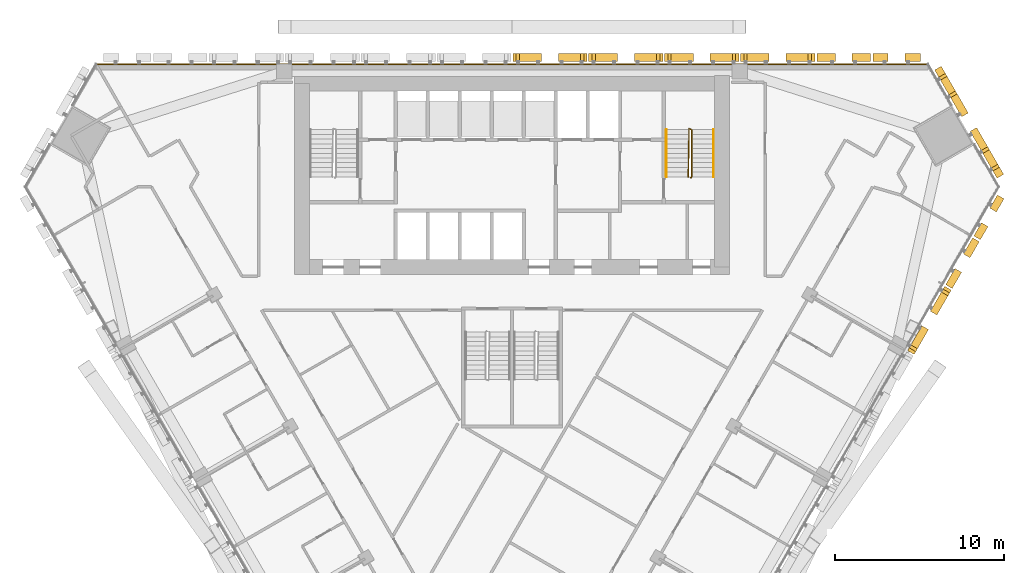
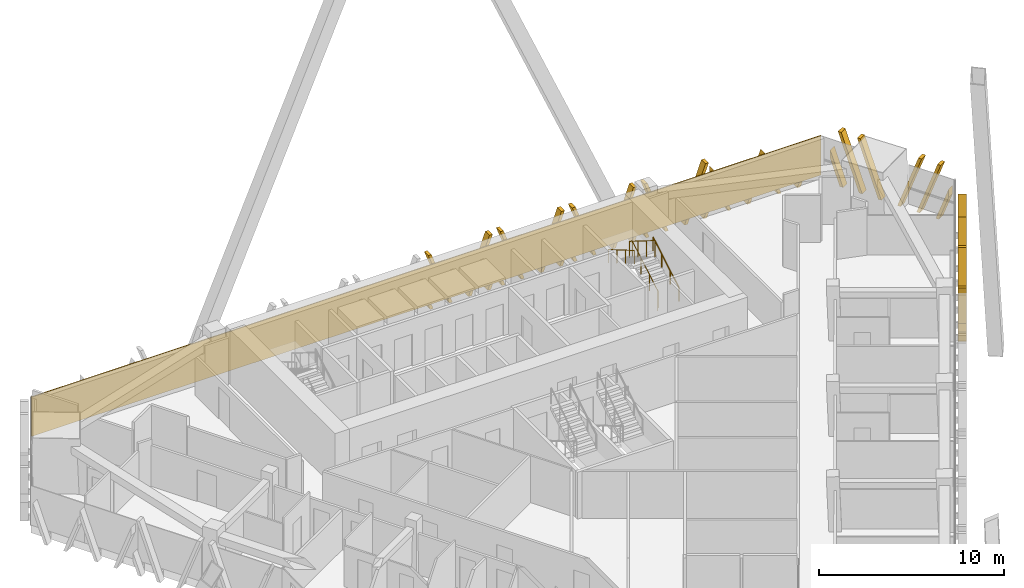
# One storey, part 22 of 23: 10 shading devices, 3 railings, 1 covering.
"""IFC4 building model written with IfcOpenShell, lengths in metres."""

from ifc_helpers import new_model, si_unit, direction, frame, frame_2d, origin, origin_2d, place, context, subcontext, project, spatial, polyline, rectangle, circle, outline, extrude, source, transform, mapped, material, layer, layer_set, type_object, element, save


model = new_model("IFC4")

# Units and contexts
model_context = context("Model", 3, precision=1e-05, world=origin(), true_north=direction((0.0, 1.0)))
body_context = subcontext(model_context, "Body", "Model", "MODEL_VIEW")
ifc_project = project(units=[si_unit("LENGTHUNIT", "METRE"), si_unit("AREAUNIT", "SQUARE_METRE"), si_unit("VOLUMEUNIT", "CUBIC_METRE"), si_unit("PLANEANGLEUNIT", "RADIAN"), si_unit("MASSUNIT", "GRAM", prefix="KILO")], contexts=[model_context])

# Site, building, storey
site_placement = place(None, origin())
site = spatial("IfcSite", under=ifc_project, at=site_placement, CompositionType="ELEMENT")
building_placement = place(site_placement, origin())
building = spatial("IfcBuilding", under=site, at=building_placement, Name="Altiplano Prism Tower", CompositionType="ELEMENT")
storey_placement = place(building_placement, frame((0.0, 0.0, 100.800048828125)))
storey = spatial("IfcBuildingStorey", under=building, at=storey_placement, Name="L25", CompositionType="ELEMENT", Elevation=100.800048828125)

# Railings
ifc_material_1 = material(Name="Steel S355", Category="steel")
railing_type_1 = type_object("IfcRailingType", Name="Stair guard 1100", PredefinedType="GUARDRAIL", material=ifc_material_1)
railing_1_placement = place(storey_placement, frame((95.60009765625, 98.25, 0.0)))
element("IfcRailing", 1, at=railing_1_placement, inside=storey, type_object=railing_type_1, Name="L25 ST2 stair guard 1", PredefinedType="GUARDRAIL", context=body_context, shape_type="SweptSolid", body=[
    extrude(circle(Radius=0.02392578125, at=origin_2d()), frame((0.0, 0.0, 1.076171875), z_axis=(0.279546231943, 0.280916556609, 0.91811752648), x_axis=(-0.708833529934, 0.705375805398, 0.0)), (0.0, 0.0, 1.0), 0.17822265625),
    extrude(circle(Radius=0.02392578125, at=origin_2d()), frame((0.0498046875, 0.050048828125, 1.23974609375), z_axis=(0.0, 0.863360870873, 0.504586966384), x_axis=(-1.0, 0.0, 0.0)), (0.0, 0.0, 1.0), 3.2431640625),
    extrude(circle(Radius=0.02392578125, at=origin_2d()), frame((0.0498046875, 2.85009765625, 2.8759765625), z_axis=(-0.948991962702, 0.315300261223, 0.0), x_axis=(-0.315300261223, -0.948991962702, 0.0)), (0.0, 0.0, 1.0), 0.157958984375),
    extrude(circle(Radius=0.02392578125, at=origin_2d()), frame((-0.10009765625, 2.89990234375, 2.8759765625), z_axis=(-0.014846992469, -0.845409478506, 0.533912334065), x_axis=(0.999845825584, -0.017559187376, 0.0)), (0.0, 0.0, 1.0), 3.37109375),
    extrude(circle(Radius=0.02099609375, at=origin_2d()), origin(), (0.0, 0.0, 1.0), 1.052001953125),
    extrude(circle(Radius=0.02099609375, at=origin_2d()), frame((0.0498046875, 0.050048828125, 0.16357421875)), (0.0, 0.0, 1.0), 1.052001953125),
    extrude(circle(Radius=0.02099609375, at=origin_2d()), frame((0.0498046875, 0.9833984375, 0.708984375)), (0.0, 0.0, 1.0), 1.052001953125),
    extrude(circle(Radius=0.02099609375, at=origin_2d()), frame((0.0498046875, 1.916748046875, 1.254638671875)), (0.0, 0.0, 1.0), 1.052001953125),
    extrude(circle(Radius=0.02099609375, at=origin_2d()), frame((0.0498046875, 2.85009765625, 1.800048828125)), (0.0, 0.0, 1.0), 1.052001953125),
    extrude(circle(Radius=0.02099609375, at=origin_2d()), frame((-0.10009765625, 2.89990234375, 1.800048828125)), (0.0, 0.0, 1.0), 1.052001953125),
    extrude(circle(Radius=0.02099609375, at=origin_2d()), frame((-0.11669921875, 1.949951171875, 2.39990234375)), (0.0, 0.0, 1.0), 1.052001953125),
    extrude(circle(Radius=0.02099609375, at=origin_2d()), frame((-0.133544921875, 1.0, 3.0)), (0.0, 0.0, 1.0), 1.052001953125),
    extrude(circle(Radius=0.02099609375, at=origin_2d()), frame((-0.150146484375, 0.050048828125, 3.599853515625)), (0.0, 0.0, 1.0), 1.052001953125),
])
railing_type_2 = type_object("IfcRailingType", Name="Stair handrail 900", PredefinedType="HANDRAIL", material=ifc_material_1)
railing_2_placement = place(storey_placement, frame((96.949951171875, 98.300048828125, 0.16357421875)))
element("IfcRailing", 2, at=railing_2_placement, inside=storey, type_object=railing_type_2, Name="L25 ST2 stair handrail 1", PredefinedType="HANDRAIL", context=body_context, shape_type="SweptSolid", body=[
    extrude(circle(Radius=0.02392578125, at=origin_2d()), frame((0.0, 0.0, 0.8759765625), z_axis=(0.0, 0.863360870873, 0.504586966384), x_axis=(-1.0, 0.0, 0.0)), (0.0, 0.0, 1.0), 3.2431640625),
    extrude(circle(Radius=0.02099609375, at=origin_2d()), origin(), (0.0, 0.0, 1.0), 0.851806640625),
    extrude(circle(Radius=0.02099609375, at=origin_2d()), frame((0.0, 0.933349609375, 0.54541015625)), (0.0, 0.0, 1.0), 0.851806640625),
    extrude(circle(Radius=0.02099609375, at=origin_2d()), frame((0.0, 1.86669921875, 1.091064453125)), (0.0, 0.0, 1.0), 0.851806640625),
    extrude(circle(Radius=0.02099609375, at=origin_2d()), frame((0.0, 2.800048828125, 1.636474609375)), (0.0, 0.0, 1.0), 0.851806640625),
])
railing_3_placement = place(storey_placement, frame((94.14990234375, 101.10009765625, 1.963623046875)))
element("IfcRailing", 3, at=railing_3_placement, inside=storey, type_object=railing_type_2, Name="L25 ST2 stair handrail 2", PredefinedType="HANDRAIL", context=body_context, shape_type="SweptSolid", body=[
    extrude(circle(Radius=0.02392578125, at=origin_2d()), frame((0.0, 0.0, 0.8759765625), z_axis=(0.0, -0.863393664356, 0.504530851732), x_axis=(1.0, 0.0, 0.0)), (0.0, 0.0, 1.0), 3.2431640625),
    extrude(circle(Radius=0.02099609375, at=origin_2d()), origin(), (0.0, 0.0, 1.0), 0.851806640625),
    extrude(circle(Radius=0.02099609375, at=origin_2d()), frame((0.0, -0.933349609375, 0.54541015625)), (0.0, 0.0, 1.0), 0.851806640625),
    extrude(circle(Radius=0.02099609375, at=origin_2d()), frame((0.0, -1.86669921875, 1.0908203125)), (0.0, 0.0, 1.0), 0.851806640625),
    extrude(circle(Radius=0.02099609375, at=origin_2d()), frame((0.0, -2.800048828125, 1.63623046875)), (0.0, 0.0, 1.0), 0.851806640625),
])

# Covering
ifc_material_2 = material(Name="Warm limestone cast stone", Category="masonry")
ifc_layer = layer(ifc_material_2, 0.06005859375)
ifc_layer_set = layer_set([ifc_layer], Name="Warm limestone cast stone")
covering_type = type_object("IfcCoveringType", Name="Stone cladding 60", PredefinedType="CLADDING", material=ifc_layer_set)
covering_placement = place(storey_placement, frame((60.32861328125, 104.969970703125, 0.0), z_axis=(0.0, 0.0, 1.0), x_axis=(1.0, 0.0, 0.0)))
element("IfcCovering", 4, at=covering_placement, inside=storey, type_object=covering_type, Name="Stone cladding north face L25", PredefinedType="CLADDING", context=body_context, shape_type="SweptSolid", body=[
    extrude(rectangle(XDim=49.3427734375, YDim=0.06005859375, at=frame_2d((24.67138671875, 0.0))), origin(), (0.0, 0.0, 1.0), 2.599853515625),
])

# Shading devices
shading_device_type_1 = type_object("IfcShadingDeviceType", Name="Stone fin panel, narrow closing bay", PredefinedType="USERDEFINED", material=ifc_material_2)
shared_shape_1 = source(origin(), body_context, "Body", "SweptSolid", [
    extrude(outline(polyline([(-1.60009765625, 3.022216796875), (-1.60009765625, 2.47265625), (-0.699951171875, 0.0), (-0.5, 0.0), (-1.60009765625, 3.022216796875)])), frame((0.0, -0.14990234375, 0.0), z_axis=(0.0, -1.0, 0.0), x_axis=(1.0, 0.0, 0.0)), (0.0, 0.0, 1.0), 0.4501953125),
    extrude(outline(polyline([(1.60009765625, 2.47265625), (1.60009765625, 3.022216796875), (0.5, 0.0), (0.699951171875, 0.0), (1.60009765625, 2.47265625)])), frame((0.0, -0.14990234375, 0.0), z_axis=(0.0, -1.0, 0.0), x_axis=(1.0, 0.0, 0.0)), (0.0, 0.0, 1.0), 0.4501953125),
])
shading_device_1_placement = place(storey_placement, origin())
element("IfcShadingDevice", 5, at=shading_device_1_placement, inside=storey, type_object=shading_device_type_1, Name="Fin L25 north face 2", ObjectType="FIN", PredefinedType="USERDEFINED", context=body_context, shape_type="MappedRepresentation", body=[
    mapped(shared_shape_1, transform((104.667724609375, 105.0, -0.5), x_axis=(-1.0, 0.0, 0.0), y_axis=(0.0, -1.0, 0.0), z_axis=(0.0, 0.0, 1.0))),
])
shading_device_2_placement = place(storey_placement, origin())
element("IfcShadingDevice", 6, at=shading_device_2_placement, inside=storey, type_object=shading_device_type_1, Name="Fin L25 south-east face 11", ObjectType="FIN", PredefinedType="USERDEFINED", context=body_context, shape_type="MappedRepresentation", body=[
    mapped(shared_shape_1, transform((111.380615234375, 93.373046875, -0.5), x_axis=(0.50000000184, 0.866025402722, 0.0), y_axis=(-0.866025402722, 0.50000000184, 0.0), z_axis=(0.0, 0.0, 1.0))),
])
shading_device_type_2 = type_object("IfcShadingDeviceType", Name="Stone fin panel, standard unit", PredefinedType="USERDEFINED", material=ifc_material_2)
shared_shape_2 = source(origin(), body_context, "Body", "SweptSolid", [
    extrude(outline(polyline([(-2.199951171875, 1.373779296875), (-2.199951171875, 0.82421875), (-1.89990234375, 0.0), (-1.699951171875, 0.0), (-2.199951171875, 1.373779296875)])), frame((0.0, -0.14990234375, 0.0), z_axis=(0.0, -1.0, 0.0), x_axis=(1.0, 0.0, 0.0)), (0.0, 0.0, 1.0), 0.4501953125),
    extrude(outline(polyline([(-2.01025390625, 3.60009765625), (-0.699951171875, 0.0), (-0.5, 0.0), (-1.810302734375, 3.60009765625), (-2.01025390625, 3.60009765625)])), frame((0.0, -0.14990234375, 0.0), z_axis=(0.0, -1.0, 0.0), x_axis=(1.0, 0.0, 0.0)), (0.0, 0.0, 1.0), 0.4501953125),
    extrude(outline(polyline([(1.810302734375, 3.60009765625), (0.5, 0.0), (0.699951171875, 0.0), (2.01025390625, 3.60009765625), (1.810302734375, 3.60009765625)])), frame((0.0, -0.14990234375, 0.0), z_axis=(0.0, -1.0, 0.0), x_axis=(1.0, 0.0, 0.0)), (0.0, 0.0, 1.0), 0.4501953125),
    extrude(outline(polyline([(2.199951171875, 0.82421875), (2.199951171875, 1.373779296875), (1.699951171875, 0.0), (1.89990234375, 0.0), (2.199951171875, 0.82421875)])), frame((0.0, -0.14990234375, 0.0), z_axis=(0.0, -1.0, 0.0), x_axis=(1.0, 0.0, 0.0)), (0.0, 0.0, 1.0), 0.4501953125),
])
shading_device_3_placement = place(storey_placement, origin())
element("IfcShadingDevice", 7, at=shading_device_3_placement, inside=storey, type_object=shading_device_type_2, Name="Fin L25 north face 3", ObjectType="FIN", PredefinedType="USERDEFINED", context=body_context, shape_type="MappedRepresentation", body=[
    mapped(shared_shape_2, transform((100.75, 105.0, -0.5), x_axis=(-1.0, 0.0, 0.0), y_axis=(0.0, -1.0, 0.0), z_axis=(0.0, 0.0, 1.0))),
])
shading_device_4_placement = place(storey_placement, origin())
element("IfcShadingDevice", 8, at=shading_device_4_placement, inside=storey, type_object=shading_device_type_2, Name="Fin L25 north face 4", ObjectType="FIN", PredefinedType="USERDEFINED", context=body_context, shape_type="MappedRepresentation", body=[
    mapped(shared_shape_2, transform((96.25, 105.0, -0.5), x_axis=(-1.0, 0.0, 0.0), y_axis=(0.0, -1.0, 0.0), z_axis=(0.0, 0.0, 1.0))),
])
shading_device_5_placement = place(storey_placement, origin())
element("IfcShadingDevice", 9, at=shading_device_5_placement, inside=storey, type_object=shading_device_type_2, Name="Fin L25 north face 5", ObjectType="FIN", PredefinedType="USERDEFINED", context=body_context, shape_type="MappedRepresentation", body=[
    mapped(shared_shape_2, transform((91.75, 105.0, -0.5), x_axis=(-1.0, 0.0, 0.0), y_axis=(0.0, -1.0, 0.0), z_axis=(0.0, 0.0, 1.0))),
])
shading_device_6_placement = place(storey_placement, origin())
element("IfcShadingDevice", 10, at=shading_device_6_placement, inside=storey, type_object=shading_device_type_2, Name="Fin L25 north face 6", ObjectType="FIN", PredefinedType="USERDEFINED", context=body_context, shape_type="MappedRepresentation", body=[
    mapped(shared_shape_2, transform((87.25, 105.0, -0.5), x_axis=(-1.0, 0.0, 0.0), y_axis=(0.0, -1.0, 0.0), z_axis=(0.0, 0.0, 1.0))),
])
shading_device_7_placement = place(storey_placement, origin())
element("IfcShadingDevice", 11, at=shading_device_7_placement, inside=storey, type_object=shading_device_type_2, Name="Fin L25 south-east face 10", ObjectType="FIN", PredefinedType="USERDEFINED", context=body_context, shape_type="MappedRepresentation", body=[
    mapped(shared_shape_2, transform((109.421630859375, 89.97998046875, -0.5), x_axis=(0.50000000184, 0.866025402722, 0.0), y_axis=(-0.866025402722, 0.50000000184, 0.0), z_axis=(0.0, 0.0, 1.0))),
])
shared_shape_3 = source(origin(), body_context, "Body", "SweptSolid", [
    extrude(outline(polyline([(-1.39990234375, 2.47265625), (-1.39990234375, 1.923095703125), (-0.699951171875, 0.0), (-0.5, 0.0), (-1.39990234375, 2.47265625)])), frame((0.0, -0.14990234375, 0.0), z_axis=(0.0, -1.0, 0.0), x_axis=(1.0, 0.0, 0.0)), (0.0, 0.0, 1.0), 0.4501953125),
    extrude(outline(polyline([(1.39990234375, 1.923095703125), (1.39990234375, 2.47265625), (0.5, 0.0), (0.699951171875, 0.0), (1.39990234375, 1.923095703125)])), frame((0.0, -0.14990234375, 0.0), z_axis=(0.0, -1.0, 0.0), x_axis=(1.0, 0.0, 0.0)), (0.0, 0.0, 1.0), 0.4501953125),
])
shading_device_8_placement = place(storey_placement, origin())
element("IfcShadingDevice", 12, at=shading_device_8_placement, inside=storey, type_object=shading_device_type_1, Name="Fin L25 north face 1", ObjectType="FIN", PredefinedType="USERDEFINED", context=body_context, shape_type="MappedRepresentation", body=[
    mapped(shared_shape_3, transform((107.803466796875, 105.0, -0.5), x_axis=(-1.0, 0.0, 0.0), y_axis=(0.0, -1.0, 0.0), z_axis=(0.0, 0.0, 1.0))),
])
shading_device_9_placement = place(storey_placement, origin())
element("IfcShadingDevice", 13, at=shading_device_9_placement, inside=storey, type_object=shading_device_type_1, Name="Fin L25 south-east face 12", ObjectType="FIN", PredefinedType="USERDEFINED", context=body_context, shape_type="MappedRepresentation", body=[
    mapped(shared_shape_3, transform((112.948486328125, 96.088623046875, -0.5), x_axis=(0.50000000184, 0.866025402722, 0.0), y_axis=(-0.866025402722, 0.50000000184, 0.0), z_axis=(0.0, 0.0, 1.0))),
])
shading_device_type_3 = type_object("IfcShadingDeviceType", Name="Stone fin panel, chamfer unit", PredefinedType="USERDEFINED", material=ifc_material_2)
shared_shape_4 = source(origin(), body_context, "Body", "SweptSolid", [
    extrude(outline(polyline([(-3.699951171875, 2.197998046875), (-3.699951171875, 1.6484375), (-3.10009765625, 0.0), (-2.89990234375, 0.0), (-3.699951171875, 2.197998046875)])), frame((0.0, -0.14990234375, 0.0), z_axis=(0.0, -1.0, 0.0), x_axis=(1.0, 0.0, 0.0)), (0.0, 0.0, 1.0), 0.4501953125),
    extrude(outline(polyline([(-3.210205078125, 3.60009765625), (-1.89990234375, 0.0), (-1.699951171875, 0.0), (-3.01025390625, 3.60009765625), (-3.210205078125, 3.60009765625)])), frame((0.0, -0.14990234375, 0.0), z_axis=(0.0, -1.0, 0.0), x_axis=(1.0, 0.0, 0.0)), (0.0, 0.0, 1.0), 0.4501953125),
    extrude(outline(polyline([(-2.01025390625, 3.60009765625), (-0.699951171875, 0.0), (-0.5, 0.0), (-1.810302734375, 3.60009765625), (-2.01025390625, 3.60009765625)])), frame((0.0, -0.14990234375, 0.0), z_axis=(0.0, -1.0, 0.0), x_axis=(1.0, 0.0, 0.0)), (0.0, 0.0, 1.0), 0.4501953125),
    extrude(outline(polyline([(1.810302734375, 3.60009765625), (0.5, 0.0), (0.699951171875, 0.0), (2.01025390625, 3.60009765625), (1.810302734375, 3.60009765625)])), frame((0.0, -0.14990234375, 0.0), z_axis=(0.0, -1.0, 0.0), x_axis=(1.0, 0.0, 0.0)), (0.0, 0.0, 1.0), 0.4501953125),
    extrude(outline(polyline([(3.01025390625, 3.60009765625), (1.699951171875, 0.0), (1.89990234375, 0.0), (3.210205078125, 3.60009765625), (3.01025390625, 3.60009765625)])), frame((0.0, -0.14990234375, 0.0), z_axis=(0.0, -1.0, 0.0), x_axis=(1.0, 0.0, 0.0)), (0.0, 0.0, 1.0), 0.4501953125),
    extrude(outline(polyline([(3.699951171875, 1.6484375), (3.699951171875, 2.197998046875), (2.89990234375, 0.0), (3.10009765625, 0.0), (3.699951171875, 1.6484375)])), frame((0.0, -0.14990234375, 0.0), z_axis=(0.0, -1.0, 0.0), x_axis=(1.0, 0.0, 0.0)), (0.0, 0.0, 1.0), 0.4501953125),
])
shading_device_10_placement = place(storey_placement, origin())
element("IfcShadingDevice", 14, at=shading_device_10_placement, inside=storey, type_object=shading_device_type_3, Name="Fin L25 north-east chamfer 1", ObjectType="FIN", PredefinedType="USERDEFINED", context=body_context, shape_type="MappedRepresentation", body=[
    mapped(shared_shape_4, transform((111.77685546875, 101.35302734375, -0.5), x_axis=(-0.500000034817, 0.866025383683, 0.0), y_axis=(-0.866025383683, -0.500000034817, 0.0), z_axis=(0.0, 0.0, 1.0))),
])

save(model, "model.ifc")
